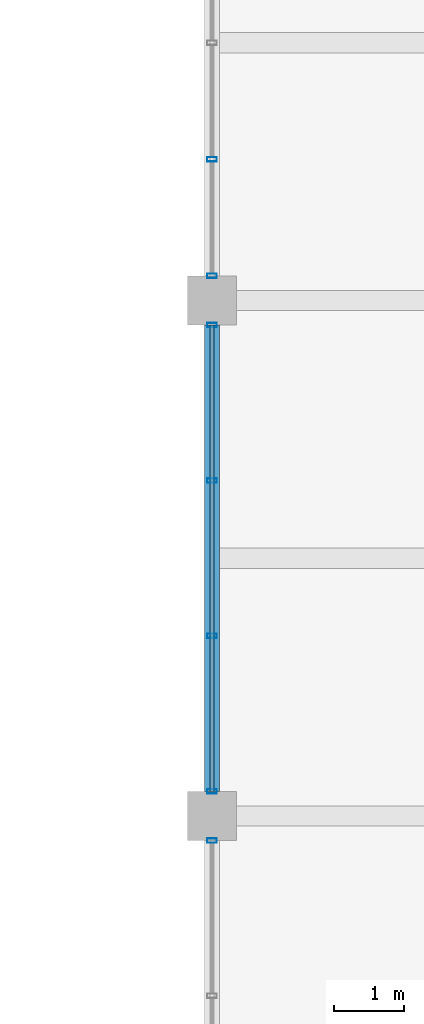
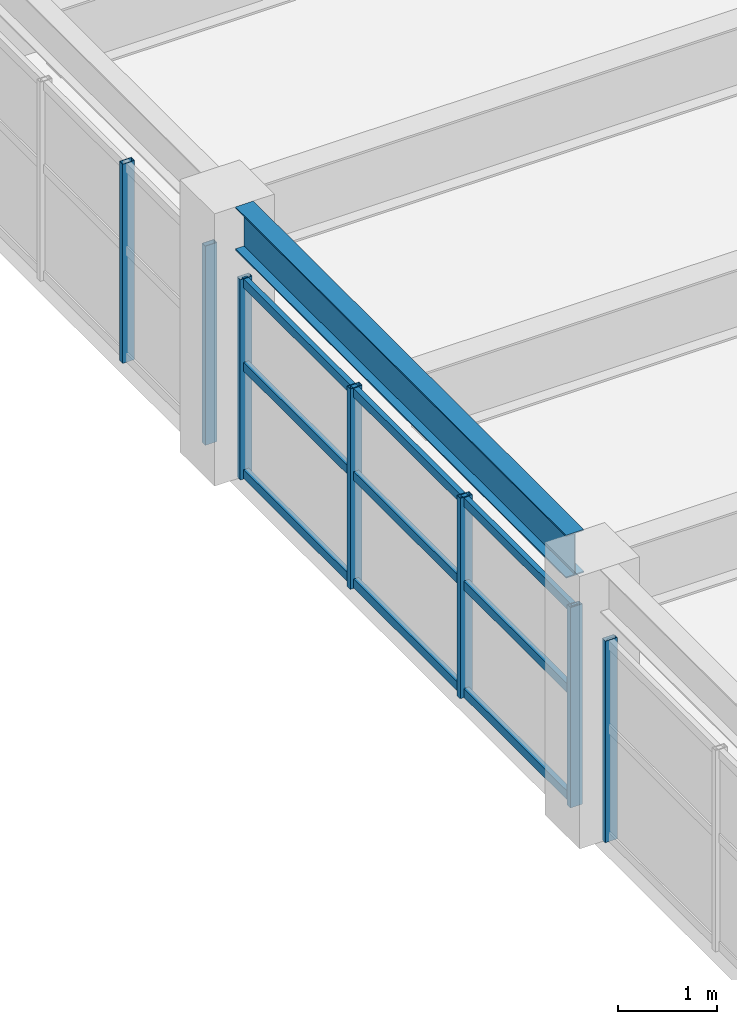
# One storey, part 61 of 121: 10 members, 1 beam, 3 elements without a shape of their own.
"""IFC4 building model written with IfcOpenShell, lengths in metres."""

from ifc_helpers import new_model, si_unit, direction, frame, origin, origin_2d, place, context, subcontext, project, spatial, hollow_rectangle, i_section, extrude, material, material_profile, profile_set, type_object, element, aggregate, save


model = new_model("IFC4")

# Units and contexts
model_context = context("Model", 3, precision=1e-05, world=origin(), true_north=direction((0.0, 1.0)))
body_context = subcontext(model_context, "Body", "Model", "MODEL_VIEW")
ifc_project = project(units=[si_unit("LENGTHUNIT", "METRE"), si_unit("AREAUNIT", "SQUARE_METRE"), si_unit("VOLUMEUNIT", "CUBIC_METRE"), si_unit("PLANEANGLEUNIT", "RADIAN"), si_unit("MASSUNIT", "GRAM", prefix="KILO")], contexts=[model_context])

# Site, building, storey
site_placement = place(None, origin())
site = spatial("IfcSite", under=ifc_project, at=site_placement, CompositionType="ELEMENT")
building_placement = place(site_placement, origin())
building = spatial("IfcBuilding", under=site, at=building_placement, Name="Cimatlan Art Gallery", CompositionType="ELEMENT")
storey_placement = place(building_placement, frame((0.0, 0.0, 10.199951171875)))
storey = spatial("IfcBuildingStorey", under=building, at=storey_placement, Name="L02", CompositionType="ELEMENT", Elevation=10.199951171875)

# Beam
ifc_material_1 = material(Name="Steel ASTM A992 Grade 50", Category="steel")
ifc_material_profile_1 = material_profile(ifc_material_1, i_section(OverallWidth=0.2099609375, OverallDepth=0.532958984375, WebThickness=0.01025390625, FlangeThickness=0.015625, at=origin_2d()), Name="W21X62")
ifc_profile_set_1 = profile_set([ifc_material_profile_1], Name="Steel ASTM A992 Grade 50")
beam_type = type_object("IfcBeamType", Name="BM-STL-W21X62", PredefinedType="BEAM", material=ifc_profile_set_1)
beam_placement = place(storey_placement, frame((74.89990234375, 83.449951171875, 3.103515625), z_axis=(0.0, 1.0, 0.0), x_axis=(-1.0, 0.0, 0.0)))
element("IfcBeam", 1, at=beam_placement, inside=storey, type_object=beam_type, Name="BM-Y-L02-09-11", PredefinedType="BEAM", context=body_context, shape_type="SweptSolid", body=[
    extrude(i_section(OverallWidth=0.2099609375, OverallDepth=0.532958984375, WebThickness=0.01025390625, FlangeThickness=0.015625, at=origin_2d()), origin(), (0.0, 0.0, 1.0), 6.699951171875),
])

# Curtain wall, member
ifc_material_2 = material(Name="Anodised bronze unitised curtain wall")
curtain_wall_type_1 = type_object("IfcCurtainWallType", Name="CW-V-06692X02494-B3", PredefinedType="NOTDEFINED", material=ifc_material_2)
curtain_wall_1_placement = place(storey_placement, origin())
curtain_wall_1 = element("IfcCurtainWall", 2, at=curtain_wall_1_placement, inside=storey, type_object=curtain_wall_type_1, Name="CW-L02-09-10-W", PredefinedType="NOTDEFINED")
ifc_material_3 = material(Name="Anodised bronze aluminium 6063-T6", Category="aluminium")
ifc_material_profile_2 = material_profile(ifc_material_3, hollow_rectangle(XDim=0.06494140625, YDim=0.139892578125, WallThickness=0.00390625, at=origin_2d()), Name="ALU65X140X4")
ifc_profile_set_2 = profile_set([ifc_material_profile_2], Name="Anodised bronze aluminium 6063-T6")
member_type_1 = type_object("IfcMemberType", Name="CW-MUL-140", PredefinedType="MULLION", material=ifc_profile_set_2)
member_1_placement = place(storey_placement, frame((74.89990234375, 82.74609375, 0.0), z_axis=(0.0, 0.0, 1.0), x_axis=(0.0, 1.0, 0.0)))
member_1 = element("IfcMember", 3, at=member_1_placement, type_object=member_type_1, Name="CW-L02-09-10-W-M4", PredefinedType="MULLION", context=body_context, shape_type="SweptSolid", body=[
    extrude(hollow_rectangle(XDim=0.06494140625, YDim=0.139892578125, WallThickness=0.00390625, at=origin_2d()), origin(), (0.0, 0.0, 1.0), 2.494140625),
])
aggregate(curtain_wall_1, [member_1])

# Curtain wall, members
curtain_wall_type_2 = type_object("IfcCurtainWallType", Name="CW-V-06692X02479-B3", PredefinedType="NOTDEFINED", material=ifc_material_2)
curtain_wall_2_placement = place(storey_placement, origin())
curtain_wall_2 = element("IfcCurtainWall", 4, at=curtain_wall_2_placement, inside=storey, type_object=curtain_wall_type_2, Name="CW-L02-09-11-W", PredefinedType="NOTDEFINED")
member_2_placement = place(storey_placement, frame((74.89990234375, 83.4541015625, 0.0), z_axis=(0.0, 0.0, 1.0), x_axis=(0.0, 1.0, 0.0)))
member_2 = element("IfcMember", 5, at=member_2_placement, type_object=member_type_1, Name="CW-L02-09-11-W-M1", PredefinedType="MULLION", context=body_context, shape_type="SweptSolid", body=[
    extrude(hollow_rectangle(XDim=0.06494140625, YDim=0.139892578125, WallThickness=0.00390625, at=origin_2d()), origin(), (0.0, 0.0, 1.0), 2.47900390625),
])
member_3_placement = place(storey_placement, frame((74.89990234375, 85.6845703125, 0.0), z_axis=(0.0, 0.0, 1.0), x_axis=(0.0, 1.0, 0.0)))
member_3 = element("IfcMember", 6, at=member_3_placement, type_object=member_type_1, Name="CW-L02-09-11-W-M2", PredefinedType="MULLION", context=body_context, shape_type="SweptSolid", body=[
    extrude(hollow_rectangle(XDim=0.06494140625, YDim=0.139892578125, WallThickness=0.00390625, at=origin_2d()), origin(), (0.0, 0.0, 1.0), 2.47900390625),
])
member_4_placement = place(storey_placement, frame((74.89990234375, 87.915283203125, 0.0), z_axis=(0.0, 0.0, 1.0), x_axis=(0.0, 1.0, 0.0)))
member_4 = element("IfcMember", 7, at=member_4_placement, type_object=member_type_1, Name="CW-L02-09-11-W-M3", PredefinedType="MULLION", context=body_context, shape_type="SweptSolid", body=[
    extrude(hollow_rectangle(XDim=0.06494140625, YDim=0.139892578125, WallThickness=0.00390625, at=origin_2d()), origin(), (0.0, 0.0, 1.0), 2.47900390625),
])
member_5_placement = place(storey_placement, frame((74.89990234375, 90.14599609375, 0.0), z_axis=(0.0, 0.0, 1.0), x_axis=(0.0, 1.0, 0.0)))
member_5 = element("IfcMember", 8, at=member_5_placement, type_object=member_type_1, Name="CW-L02-09-11-W-M4", PredefinedType="MULLION", context=body_context, shape_type="SweptSolid", body=[
    extrude(hollow_rectangle(XDim=0.06494140625, YDim=0.139892578125, WallThickness=0.00390625, at=origin_2d()), origin(), (0.0, 0.0, 1.0), 2.47900390625),
])

curtain_wall_type_3 = type_object("IfcCurtainWallType", Name="CW-V-06692X02464-B4", PredefinedType="NOTDEFINED", material=ifc_material_2)
curtain_wall_3_placement = place(storey_placement, origin())
curtain_wall_3 = element("IfcCurtainWall", 9, at=curtain_wall_3_placement, inside=storey, type_object=curtain_wall_type_3, Name="CW-L02-09-12-W", PredefinedType="NOTDEFINED")
member_6_placement = place(storey_placement, frame((74.89990234375, 90.85400390625, 0.0), z_axis=(0.0, 0.0, 1.0), x_axis=(0.0, 1.0, 0.0)))
member_6 = element("IfcMember", 10, at=member_6_placement, type_object=member_type_1, Name="CW-L02-09-12-W-M1", PredefinedType="MULLION", context=body_context, shape_type="SweptSolid", body=[
    extrude(hollow_rectangle(XDim=0.06494140625, YDim=0.139892578125, WallThickness=0.00390625, at=origin_2d()), origin(), (0.0, 0.0, 1.0), 2.464111328125),
])
member_7_placement = place(storey_placement, frame((74.89990234375, 92.527099609375, 0.0), z_axis=(0.0, 0.0, 1.0), x_axis=(0.0, 1.0, 0.0)))
member_7 = element("IfcMember", 11, at=member_7_placement, type_object=member_type_1, Name="CW-L02-09-12-W-M2", PredefinedType="MULLION", context=body_context, shape_type="SweptSolid", body=[
    extrude(hollow_rectangle(XDim=0.06494140625, YDim=0.139892578125, WallThickness=0.00390625, at=origin_2d()), origin(), (0.0, 0.0, 1.0), 2.464111328125),
])
aggregate(curtain_wall_3, [member_6, member_7])

# Member
ifc_material_profile_3 = material_profile(ifc_material_3, hollow_rectangle(XDim=0.06005859375, YDim=0.110107421875, WallThickness=0.00341796875, at=origin_2d()), Name="ALU60X110X3")
ifc_profile_set_3 = profile_set([ifc_material_profile_3], Name="Anodised bronze aluminium 6063-T6")
member_type_2 = type_object("IfcMemberType", Name="CW-TRN-110", PredefinedType="USERDEFINED", material=ifc_profile_set_3)
member_8_placement = place(storey_placement, frame((74.89990234375, 83.4541015625, 0.06005859375), z_axis=(0.0, 1.0, 0.0), x_axis=(-1.0, 0.0, 0.0)))
member_8 = element("IfcMember", 12, at=member_8_placement, type_object=member_type_2, Name="CW-L02-09-11-W-T1", ObjectType="TRANSOM", PredefinedType="USERDEFINED", context=body_context, shape_type="SweptSolid", body=[
    extrude(hollow_rectangle(XDim=0.06005859375, YDim=0.110107421875, WallThickness=0.00341796875, at=origin_2d()), origin(), (0.0, 0.0, 1.0), 6.69189453125),
])

member_9_placement = place(storey_placement, frame((74.89990234375, 83.4541015625, 1.38818359375), z_axis=(0.0, 1.0, 0.0), x_axis=(-1.0, 0.0, 0.0)))
member_9 = element("IfcMember", 13, at=member_9_placement, type_object=member_type_2, Name="CW-L02-09-11-W-T2", ObjectType="TRANSOM", PredefinedType="USERDEFINED", context=body_context, shape_type="SweptSolid", body=[
    extrude(hollow_rectangle(XDim=0.06005859375, YDim=0.110107421875, WallThickness=0.00341796875, at=origin_2d()), origin(), (0.0, 0.0, 1.0), 6.69189453125),
])

member_10_placement = place(storey_placement, frame((74.89990234375, 83.4541015625, 2.4189453125), z_axis=(0.0, 1.0, 0.0), x_axis=(-1.0, 0.0, 0.0)))
member_10 = element("IfcMember", 14, at=member_10_placement, type_object=member_type_2, Name="CW-L02-09-11-W-T3", ObjectType="TRANSOM", PredefinedType="USERDEFINED", context=body_context, shape_type="SweptSolid", body=[
    extrude(hollow_rectangle(XDim=0.06005859375, YDim=0.110107421875, WallThickness=0.00341796875, at=origin_2d()), origin(), (0.0, 0.0, 1.0), 6.69189453125),
])

aggregate(curtain_wall_2, [member_2, member_3, member_4, member_5, member_8, member_9, member_10])

save(model, "model.ifc")
